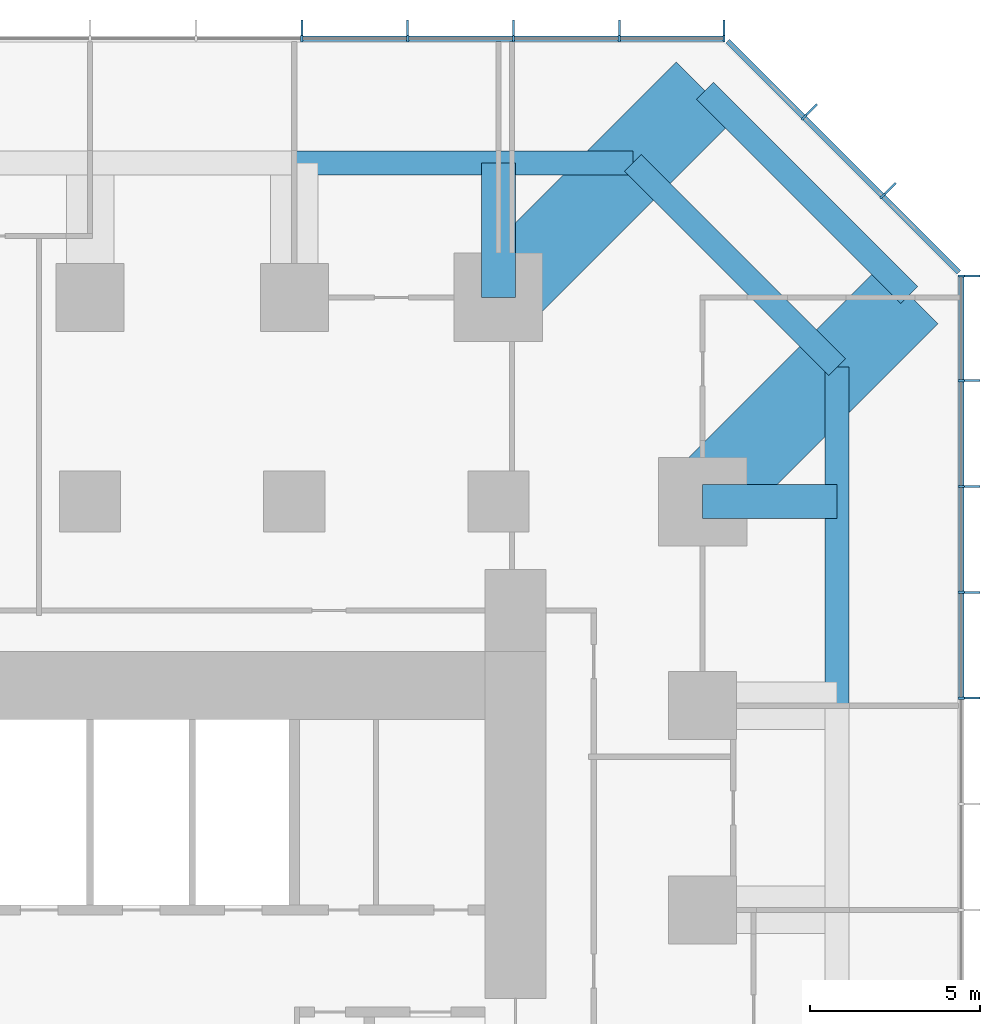
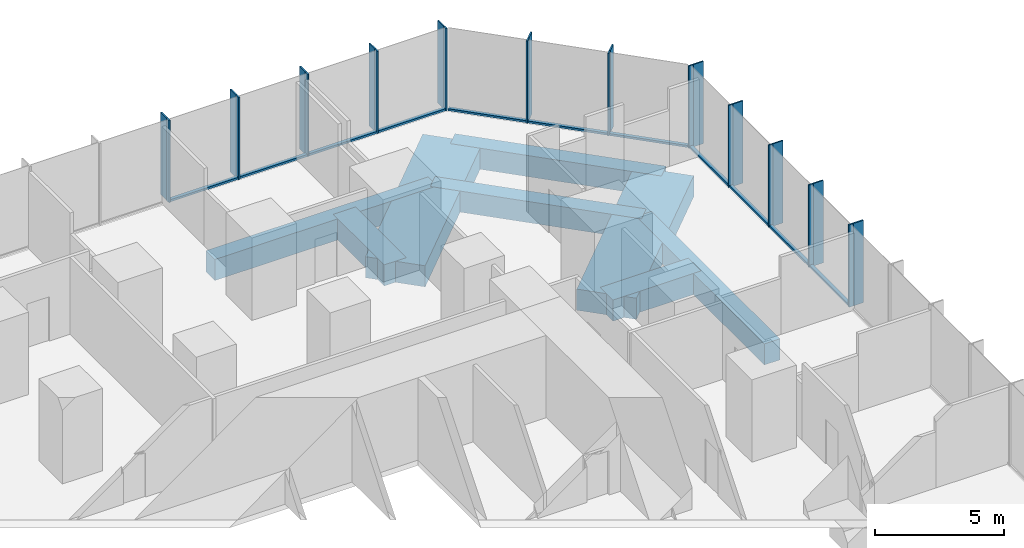
# One storey, part 6 of 12: 35 members, 8 beams, 3 elements without a shape of their own.
"""IFC4 building model written with IfcOpenShell, lengths in metres."""

from ifc_helpers import new_model, si_unit, direction, frame, origin, origin_2d, place, context, subcontext, project, spatial, rectangle, extrude, material, layer, layer_set, material_profile, profile_set, type_object, element, aggregate, save


model = new_model("IFC4")

# Units and contexts
model_context = context("Model", 3, precision=1e-05, world=origin(), true_north=direction((0.0, 1.0)))
body_context = subcontext(model_context, "Body", "Model", "MODEL_VIEW")
ifc_project = project(units=[si_unit("LENGTHUNIT", "METRE"), si_unit("AREAUNIT", "SQUARE_METRE"), si_unit("VOLUMEUNIT", "CUBIC_METRE"), si_unit("PLANEANGLEUNIT", "RADIAN"), si_unit("MASSUNIT", "GRAM", prefix="KILO")], contexts=[model_context])

# Site, building, storey
site_placement = place(None, origin())
site = spatial("IfcSite", under=ifc_project, at=site_placement, CompositionType="ELEMENT")
building_placement = place(site_placement, origin())
building = spatial("IfcBuilding", under=site, at=building_placement, Name="Highveld Stack Headquarters", CompositionType="ELEMENT")
storey_placement = place(building_placement, frame((0.0, 0.0, 68.89990234375)))
storey = spatial("IfcBuildingStorey", under=building, at=storey_placement, Name="L16", CompositionType="ELEMENT", Elevation=68.89990234375)

# Beams
ifc_material_1 = material(Name="Concrete C60/75", Category="concrete")
ifc_material_profile_1 = material_profile(ifc_material_1, rectangle(XDim=1.0, YDim=1.0, at=origin_2d()), Name="RC 1000x1000")
ifc_profile_set_1 = profile_set([ifc_material_profile_1], Name="Concrete C60/75")
beam_type_1 = type_object("IfcBeamType", Name="CANTILEVER RIB RC 1000x1000", PredefinedType="USERDEFINED", material=ifc_profile_set_1)
for number, where, z_axis, x_axis, name in (
    (1, (18.0, 24.0, -0.75), (0.0, 1.0, 0.0), (-1.0, 0.0, 0.0), "Cantilever rib 9/J L16"),
    (2, (24.0, 18.0, -0.75), (1.0, 0.0, 0.0), (0.0, 1.0, 0.0), "Cantilever rib 10/H L16"),
):
    element("IfcBeam", number, at=place(storey_placement, frame(where, z_axis=z_axis, x_axis=x_axis)), inside=storey, type_object=beam_type_1, Name=name, ObjectType="CANTILEVER RIB", PredefinedType="USERDEFINED", context=body_context, shape_type="SweptSolid", body=[
        extrude(rectangle(XDim=1.0, YDim=1.0, at=origin_2d()), origin(), (0.0, 0.0, 1.0), 3.949951171875),
    ])
ifc_material_2 = material(Name="Concrete C60/75", Category="concrete")
ifc_material_profile_2 = material_profile(ifc_material_2, rectangle(XDim=2.39990234375, YDim=1.0, at=origin_2d()), Name="RC 2400x1000")
ifc_profile_set_2 = profile_set([ifc_material_profile_2], Name="Concrete C60/75")
beam_type_2 = type_object("IfcBeamType", Name="CANTILEVER RIB RC 2400x1000", PredefinedType="USERDEFINED", material=ifc_profile_set_2)
for number, where, z_axis, x_axis, name in (
    (3, (18.0, 24.0, -0.75), (0.707106781187, 0.707106781187, 0.0), (-0.707106781187, 0.707106781187, 0.0), "Cantilever rib 9/J L16"),
    (4, (24.0, 18.0, -0.75), (0.707106781187, 0.707106781187, 0.0), (-0.707106781187, 0.707106781187, 0.0), "Cantilever rib 10/H L16"),
):
    element("IfcBeam", number, at=place(storey_placement, frame(where, z_axis=z_axis, x_axis=x_axis)), inside=storey, type_object=beam_type_2, Name=name, ObjectType="CANTILEVER RIB", PredefinedType="USERDEFINED", context=body_context, shape_type="SweptSolid", body=[
        extrude(rectangle(XDim=2.39990234375, YDim=1.0, at=origin_2d()), origin(), (0.0, 0.0, 1.0), 8.585693359375),
    ])

# Curtain wall, members
ifc_material_3 = material(Name="Aluminium bronze anodised", Category="aluminium")
ifc_layer_1 = layer(ifc_material_3, 0.199951171875)
ifc_layer_set_1 = layer_set([ifc_layer_1], Name="Aluminium bronze anodised")
curtain_wall_type_1 = type_object("IfcCurtainWallType", Name="CW1 TOWER UNITISED CURTAIN WALL", PredefinedType="NOTDEFINED", material=ifc_layer_set_1)
curtain_wall_1_placement = place(storey_placement, origin())
curtain_wall_1 = element("IfcCurtainWall", 5, at=curtain_wall_1_placement, inside=storey, type_object=curtain_wall_type_1, Name="Curtain wall CW1 L16 E", PredefinedType="NOTDEFINED")
ifc_material_4 = material(Name="Aluminium bronze anodised", Category="aluminium")
ifc_material_profile_3 = material_profile(ifc_material_4, rectangle(XDim=0.449951171875, YDim=0.06005859375, at=origin_2d()), Name="FIN 450x60")
ifc_profile_set_3 = profile_set([ifc_material_profile_3], Name="Aluminium bronze anodised")
member_type_1 = type_object("IfcMemberType", Name="CW1 BRONZE FIN 450x60", PredefinedType="USERDEFINED", material=ifc_profile_set_3)
member_1_placement = place(storey_placement, frame((31.925048828125, 12.220947265625, 0.0), z_axis=(0.0, 0.0, 1.0), x_axis=(-1.0, 0.0, 0.0)))
member_1 = element("IfcMember", 6, at=member_1_placement, type_object=member_type_1, Name="CW1 fin L16 9", ObjectType="FIN", PredefinedType="USERDEFINED", context=body_context, shape_type="SweptSolid", body=[
    extrude(rectangle(XDim=0.449951171875, YDim=0.06005859375, at=origin_2d()), origin(), (0.0, 0.0, 1.0), 3.900146484375),
])
member_2_placement = place(storey_placement, frame((31.925048828125, 15.331298828125, 0.0), z_axis=(0.0, 0.0, 1.0), x_axis=(-1.0, 0.0, 0.0)))
member_2 = element("IfcMember", 7, at=member_2_placement, type_object=member_type_1, Name="CW1 fin L16 10", ObjectType="FIN", PredefinedType="USERDEFINED", context=body_context, shape_type="SweptSolid", body=[
    extrude(rectangle(XDim=0.449951171875, YDim=0.06005859375, at=origin_2d()), origin(), (0.0, 0.0, 1.0), 3.900146484375),
])
member_3_placement = place(storey_placement, frame((31.925048828125, 18.44189453125, 0.0), z_axis=(0.0, 0.0, 1.0), x_axis=(-1.0, 0.0, 0.0)))
member_3 = element("IfcMember", 8, at=member_3_placement, type_object=member_type_1, Name="CW1 fin L16 11", ObjectType="FIN", PredefinedType="USERDEFINED", context=body_context, shape_type="SweptSolid", body=[
    extrude(rectangle(XDim=0.449951171875, YDim=0.06005859375, at=origin_2d()), origin(), (0.0, 0.0, 1.0), 3.900146484375),
])
member_4_placement = place(storey_placement, frame((31.925048828125, 21.55224609375, 0.0), z_axis=(0.0, 0.0, 1.0), x_axis=(-1.0, 0.0, 0.0)))
member_4 = element("IfcMember", 9, at=member_4_placement, type_object=member_type_1, Name="CW1 fin L16 12", ObjectType="FIN", PredefinedType="USERDEFINED", context=body_context, shape_type="SweptSolid", body=[
    extrude(rectangle(XDim=0.449951171875, YDim=0.06005859375, at=origin_2d()), origin(), (0.0, 0.0, 1.0), 3.900146484375),
])
member_5_placement = place(storey_placement, frame((31.925048828125, 24.630126953125, 0.0), z_axis=(0.0, 0.0, 1.0), x_axis=(-1.0, 0.0, 0.0)))
member_5 = element("IfcMember", 10, at=member_5_placement, type_object=member_type_1, Name="CW1 fin L16 13", ObjectType="FIN", PredefinedType="USERDEFINED", context=body_context, shape_type="SweptSolid", body=[
    extrude(rectangle(XDim=0.449951171875, YDim=0.06005859375, at=origin_2d()), origin(), (0.0, 0.0, 1.0), 3.900146484375),
])

curtain_wall_2_placement = place(storey_placement, origin())
curtain_wall_2 = element("IfcCurtainWall", 11, at=curtain_wall_2_placement, inside=storey, type_object=curtain_wall_type_1, Name="Curtain wall CW1 L16 N", PredefinedType="NOTDEFINED")
member_6_placement = place(storey_placement, frame((24.630126953125, 31.925048828125, 0.0), z_axis=(0.0, 0.0, 1.0), x_axis=(0.0, -1.0, 0.0)))
member_6 = element("IfcMember", 12, at=member_6_placement, type_object=member_type_1, Name="CW1 fin L16 1", ObjectType="FIN", PredefinedType="USERDEFINED", context=body_context, shape_type="SweptSolid", body=[
    extrude(rectangle(XDim=0.449951171875, YDim=0.06005859375, at=origin_2d()), origin(), (0.0, 0.0, 1.0), 3.900146484375),
])
member_7_placement = place(storey_placement, frame((21.55224609375, 31.925048828125, 0.0), z_axis=(0.0, 0.0, 1.0), x_axis=(0.0, -1.0, 0.0)))
member_7 = element("IfcMember", 13, at=member_7_placement, type_object=member_type_1, Name="CW1 fin L16 2", ObjectType="FIN", PredefinedType="USERDEFINED", context=body_context, shape_type="SweptSolid", body=[
    extrude(rectangle(XDim=0.449951171875, YDim=0.06005859375, at=origin_2d()), origin(), (0.0, 0.0, 1.0), 3.900146484375),
])
member_8_placement = place(storey_placement, frame((18.44189453125, 31.925048828125, 0.0), z_axis=(0.0, 0.0, 1.0), x_axis=(0.0, -1.0, 0.0)))
member_8 = element("IfcMember", 14, at=member_8_placement, type_object=member_type_1, Name="CW1 fin L16 3", ObjectType="FIN", PredefinedType="USERDEFINED", context=body_context, shape_type="SweptSolid", body=[
    extrude(rectangle(XDim=0.449951171875, YDim=0.06005859375, at=origin_2d()), origin(), (0.0, 0.0, 1.0), 3.900146484375),
])
member_9_placement = place(storey_placement, frame((15.331298828125, 31.925048828125, 0.0), z_axis=(0.0, 0.0, 1.0), x_axis=(0.0, -1.0, 0.0)))
member_9 = element("IfcMember", 15, at=member_9_placement, type_object=member_type_1, Name="CW1 fin L16 4", ObjectType="FIN", PredefinedType="USERDEFINED", context=body_context, shape_type="SweptSolid", body=[
    extrude(rectangle(XDim=0.449951171875, YDim=0.06005859375, at=origin_2d()), origin(), (0.0, 0.0, 1.0), 3.900146484375),
])
member_10_placement = place(storey_placement, frame((12.220947265625, 31.925048828125, 0.0), z_axis=(0.0, 0.0, 1.0), x_axis=(0.0, -1.0, 0.0)))
member_10 = element("IfcMember", 16, at=member_10_placement, type_object=member_type_1, Name="CW1 fin L16 5", ObjectType="FIN", PredefinedType="USERDEFINED", context=body_context, shape_type="SweptSolid", body=[
    extrude(rectangle(XDim=0.449951171875, YDim=0.06005859375, at=origin_2d()), origin(), (0.0, 0.0, 1.0), 3.900146484375),
])

# Member
ifc_material_5 = material(Name="Aluminium bronze anodised", Category="aluminium")
ifc_material_profile_4 = material_profile(ifc_material_5, rectangle(XDim=0.199951171875, YDim=0.06494140625, at=origin_2d()), Name="CW1 MULLION 65x200")
ifc_profile_set_4 = profile_set([ifc_material_profile_4], Name="Aluminium bronze anodised")
member_type_2 = type_object("IfcMemberType", Name="CW1 MULLION 65x200", PredefinedType="MULLION", material=ifc_profile_set_4)
member_11_placement = place(storey_placement, frame((31.60009765625, 12.220947265625, 0.0), z_axis=(0.0, 0.0, 1.0), x_axis=(-1.0, 0.0, 0.0)))
member_11 = element("IfcMember", 17, at=member_11_placement, type_object=member_type_2, Name="CW1 mullion L16 9", PredefinedType="MULLION", context=body_context, shape_type="SweptSolid", body=[
    extrude(rectangle(XDim=0.199951171875, YDim=0.06494140625, at=origin_2d()), origin(), (0.0, 0.0, 1.0), 3.900146484375),
])

member_12_placement = place(storey_placement, frame((31.60009765625, 15.331298828125, 0.0), z_axis=(0.0, 0.0, 1.0), x_axis=(-1.0, 0.0, 0.0)))
member_12 = element("IfcMember", 18, at=member_12_placement, type_object=member_type_2, Name="CW1 mullion L16 10", PredefinedType="MULLION", context=body_context, shape_type="SweptSolid", body=[
    extrude(rectangle(XDim=0.199951171875, YDim=0.06494140625, at=origin_2d()), origin(), (0.0, 0.0, 1.0), 3.900146484375),
])

member_13_placement = place(storey_placement, frame((31.60009765625, 18.44189453125, 0.0), z_axis=(0.0, 0.0, 1.0), x_axis=(-1.0, 0.0, 0.0)))
member_13 = element("IfcMember", 19, at=member_13_placement, type_object=member_type_2, Name="CW1 mullion L16 11", PredefinedType="MULLION", context=body_context, shape_type="SweptSolid", body=[
    extrude(rectangle(XDim=0.199951171875, YDim=0.06494140625, at=origin_2d()), origin(), (0.0, 0.0, 1.0), 3.900146484375),
])

member_14_placement = place(storey_placement, frame((31.60009765625, 21.55224609375, 0.0), z_axis=(0.0, 0.0, 1.0), x_axis=(-1.0, 0.0, 0.0)))
member_14 = element("IfcMember", 20, at=member_14_placement, type_object=member_type_2, Name="CW1 mullion L16 12", PredefinedType="MULLION", context=body_context, shape_type="SweptSolid", body=[
    extrude(rectangle(XDim=0.199951171875, YDim=0.06494140625, at=origin_2d()), origin(), (0.0, 0.0, 1.0), 3.900146484375),
])

member_15_placement = place(storey_placement, frame((31.60009765625, 24.630126953125, 0.0), z_axis=(0.0, 0.0, 1.0), x_axis=(-1.0, 0.0, 0.0)))
member_15 = element("IfcMember", 21, at=member_15_placement, type_object=member_type_2, Name="CW1 mullion L16 13", PredefinedType="MULLION", context=body_context, shape_type="SweptSolid", body=[
    extrude(rectangle(XDim=0.199951171875, YDim=0.06494140625, at=origin_2d()), origin(), (0.0, 0.0, 1.0), 3.900146484375),
])

member_16_placement = place(storey_placement, frame((24.630126953125, 31.60009765625, 0.0), z_axis=(0.0, 0.0, 1.0), x_axis=(0.0, -1.0, 0.0)))
member_16 = element("IfcMember", 22, at=member_16_placement, type_object=member_type_2, Name="CW1 mullion L16 1", PredefinedType="MULLION", context=body_context, shape_type="SweptSolid", body=[
    extrude(rectangle(XDim=0.199951171875, YDim=0.06494140625, at=origin_2d()), origin(), (0.0, 0.0, 1.0), 3.900146484375),
])

member_17_placement = place(storey_placement, frame((21.55224609375, 31.60009765625, 0.0), z_axis=(0.0, 0.0, 1.0), x_axis=(0.0, -1.0, 0.0)))
member_17 = element("IfcMember", 23, at=member_17_placement, type_object=member_type_2, Name="CW1 mullion L16 2", PredefinedType="MULLION", context=body_context, shape_type="SweptSolid", body=[
    extrude(rectangle(XDim=0.199951171875, YDim=0.06494140625, at=origin_2d()), origin(), (0.0, 0.0, 1.0), 3.900146484375),
])

member_18_placement = place(storey_placement, frame((18.44189453125, 31.60009765625, 0.0), z_axis=(0.0, 0.0, 1.0), x_axis=(0.0, -1.0, 0.0)))
member_18 = element("IfcMember", 24, at=member_18_placement, type_object=member_type_2, Name="CW1 mullion L16 3", PredefinedType="MULLION", context=body_context, shape_type="SweptSolid", body=[
    extrude(rectangle(XDim=0.199951171875, YDim=0.06494140625, at=origin_2d()), origin(), (0.0, 0.0, 1.0), 3.900146484375),
])

member_19_placement = place(storey_placement, frame((15.331298828125, 31.60009765625, 0.0), z_axis=(0.0, 0.0, 1.0), x_axis=(0.0, -1.0, 0.0)))
member_19 = element("IfcMember", 25, at=member_19_placement, type_object=member_type_2, Name="CW1 mullion L16 4", PredefinedType="MULLION", context=body_context, shape_type="SweptSolid", body=[
    extrude(rectangle(XDim=0.199951171875, YDim=0.06494140625, at=origin_2d()), origin(), (0.0, 0.0, 1.0), 3.900146484375),
])

member_20_placement = place(storey_placement, frame((12.220947265625, 31.60009765625, 0.0), z_axis=(0.0, 0.0, 1.0), x_axis=(0.0, -1.0, 0.0)))
member_20 = element("IfcMember", 26, at=member_20_placement, type_object=member_type_2, Name="CW1 mullion L16 5", PredefinedType="MULLION", context=body_context, shape_type="SweptSolid", body=[
    extrude(rectangle(XDim=0.199951171875, YDim=0.06494140625, at=origin_2d()), origin(), (0.0, 0.0, 1.0), 3.900146484375),
])

ifc_material_6 = material(Name="Aluminium bronze anodised", Category="aluminium")
ifc_material_profile_5 = material_profile(ifc_material_6, rectangle(XDim=0.14990234375, YDim=0.10009765625, at=origin_2d()), Name="CW1 TRANSOM 150x100")
ifc_profile_set_5 = profile_set([ifc_material_profile_5], Name="Aluminium bronze anodised")
member_type_3 = type_object("IfcMemberType", Name="CW1 STACK TRANSOM 150x100", PredefinedType="USERDEFINED", material=ifc_profile_set_5)
member_21_placement = place(storey_placement, frame((31.60009765625, 12.25341796875, 0.050048828125), z_axis=(0.0, 1.0, 0.0), x_axis=(-1.0, 0.0, 0.0)))
member_21 = element("IfcMember", 27, at=member_21_placement, type_object=member_type_3, Name="CW1 transom L16 9.1", ObjectType="TRANSOM", PredefinedType="USERDEFINED", context=body_context, shape_type="SweptSolid", body=[
    extrude(rectangle(XDim=0.14990234375, YDim=0.10009765625, at=origin_2d()), origin(), (0.0, 0.0, 1.0), 3.04541015625),
])

member_22_placement = place(storey_placement, frame((31.60009765625, 15.364013671875, 0.050048828125), z_axis=(0.0, 1.0, 0.0), x_axis=(-1.0, 0.0, 0.0)))
member_22 = element("IfcMember", 28, at=member_22_placement, type_object=member_type_3, Name="CW1 transom L16 10.1", ObjectType="TRANSOM", PredefinedType="USERDEFINED", context=body_context, shape_type="SweptSolid", body=[
    extrude(rectangle(XDim=0.14990234375, YDim=0.10009765625, at=origin_2d()), origin(), (0.0, 0.0, 1.0), 3.045166015625),
])

member_23_placement = place(storey_placement, frame((31.60009765625, 18.474365234375, 0.050048828125), z_axis=(0.0, 1.0, 0.0), x_axis=(-1.0, 0.0, 0.0)))
member_23 = element("IfcMember", 29, at=member_23_placement, type_object=member_type_3, Name="CW1 transom L16 11.1", ObjectType="TRANSOM", PredefinedType="USERDEFINED", context=body_context, shape_type="SweptSolid", body=[
    extrude(rectangle(XDim=0.14990234375, YDim=0.10009765625, at=origin_2d()), origin(), (0.0, 0.0, 1.0), 3.04541015625),
])

member_24_placement = place(storey_placement, frame((31.60009765625, 21.584716796875, 0.050048828125), z_axis=(0.0, 1.0, 0.0), x_axis=(-1.0, 0.0, 0.0)))
member_24 = element("IfcMember", 30, at=member_24_placement, type_object=member_type_3, Name="CW1 transom L16 12.1", ObjectType="TRANSOM", PredefinedType="USERDEFINED", context=body_context, shape_type="SweptSolid", body=[
    extrude(rectangle(XDim=0.14990234375, YDim=0.10009765625, at=origin_2d()), origin(), (0.0, 0.0, 1.0), 3.012939453125),
])

aggregate(curtain_wall_1, [member_11, member_1, member_12, member_2, member_13, member_3, member_14, member_4, member_15, member_5, member_21, member_22, member_23, member_24])

member_25_placement = place(storey_placement, frame((24.59765625, 31.60009765625, 0.050048828125), z_axis=(-1.0, 0.0, 0.0), x_axis=(0.0, -1.0, 0.0)))
member_25 = element("IfcMember", 31, at=member_25_placement, type_object=member_type_3, Name="CW1 transom L16 1.1", ObjectType="TRANSOM", PredefinedType="USERDEFINED", context=body_context, shape_type="SweptSolid", body=[
    extrude(rectangle(XDim=0.14990234375, YDim=0.10009765625, at=origin_2d()), origin(), (0.0, 0.0, 1.0), 3.012939453125),
])

member_26_placement = place(storey_placement, frame((21.519775390625, 31.60009765625, 0.050048828125), z_axis=(-1.0, 0.0, 0.0), x_axis=(0.0, -1.0, 0.0)))
member_26 = element("IfcMember", 32, at=member_26_placement, type_object=member_type_3, Name="CW1 transom L16 2.1", ObjectType="TRANSOM", PredefinedType="USERDEFINED", context=body_context, shape_type="SweptSolid", body=[
    extrude(rectangle(XDim=0.14990234375, YDim=0.10009765625, at=origin_2d()), origin(), (0.0, 0.0, 1.0), 3.04541015625),
])

member_27_placement = place(storey_placement, frame((18.4091796875, 31.60009765625, 0.050048828125), z_axis=(-1.0, 0.0, 0.0), x_axis=(0.0, -1.0, 0.0)))
member_27 = element("IfcMember", 33, at=member_27_placement, type_object=member_type_3, Name="CW1 transom L16 3.1", ObjectType="TRANSOM", PredefinedType="USERDEFINED", context=body_context, shape_type="SweptSolid", body=[
    extrude(rectangle(XDim=0.14990234375, YDim=0.10009765625, at=origin_2d()), origin(), (0.0, 0.0, 1.0), 3.045166015625),
])

member_28_placement = place(storey_placement, frame((15.298828125, 31.60009765625, 0.050048828125), z_axis=(-1.0, 0.0, 0.0), x_axis=(0.0, -1.0, 0.0)))
member_28 = element("IfcMember", 34, at=member_28_placement, type_object=member_type_3, Name="CW1 transom L16 4.1", ObjectType="TRANSOM", PredefinedType="USERDEFINED", context=body_context, shape_type="SweptSolid", body=[
    extrude(rectangle(XDim=0.14990234375, YDim=0.10009765625, at=origin_2d()), origin(), (0.0, 0.0, 1.0), 3.04541015625),
])

aggregate(curtain_wall_2, [member_16, member_6, member_17, member_7, member_18, member_8, member_19, member_9, member_20, member_10, member_25, member_26, member_27, member_28])

# Curtain wall, members
ifc_material_7 = material(Name="Aluminium bronze anodised", Category="aluminium")
ifc_layer_2 = layer(ifc_material_7, 0.199951171875)
ifc_layer_set_2 = layer_set([ifc_layer_2], Name="Aluminium bronze anodised")
curtain_wall_type_2 = type_object("IfcCurtainWallType", Name="CW2 TOWER CHAMFER UNITISED CURTAIN WALL", PredefinedType="NOTDEFINED", material=ifc_layer_set_2)
curtain_wall_3_placement = place(storey_placement, origin())
curtain_wall_3 = element("IfcCurtainWall", 35, at=curtain_wall_3_placement, inside=storey, type_object=curtain_wall_type_2, Name="Curtain wall CW2 L16 NE", PredefinedType="NOTDEFINED")
ifc_material_8 = material(Name="Aluminium bronze anodised", Category="aluminium")
ifc_material_profile_6 = material_profile(ifc_material_8, rectangle(XDim=0.449951171875, YDim=0.06005859375, at=origin_2d()), Name="FIN 450x60")
ifc_profile_set_6 = profile_set([ifc_material_profile_6], Name="Aluminium bronze anodised")
member_type_4 = type_object("IfcMemberType", Name="CW2 BRONZE FIN 450x60", PredefinedType="USERDEFINED", material=ifc_profile_set_6)
member_29_placement = place(storey_placement, frame((29.517333984375, 27.204833984375, 0.0), z_axis=(0.0, 0.0, 1.0), x_axis=(-0.707106781187, -0.707106781187, 0.0)))
member_29 = element("IfcMember", 36, at=member_29_placement, type_object=member_type_4, Name="CW2 fin L16 1", ObjectType="FIN", PredefinedType="USERDEFINED", context=body_context, shape_type="SweptSolid", body=[
    extrude(rectangle(XDim=0.449951171875, YDim=0.06005859375, at=origin_2d()), origin(), (0.0, 0.0, 1.0), 3.900146484375),
])
member_30_placement = place(storey_placement, frame((27.204833984375, 29.517333984375, 0.0), z_axis=(0.0, 0.0, 1.0), x_axis=(-0.707106781187, -0.707106781187, 0.0)))
member_30 = element("IfcMember", 37, at=member_30_placement, type_object=member_type_4, Name="CW2 fin L16 2", ObjectType="FIN", PredefinedType="USERDEFINED", context=body_context, shape_type="SweptSolid", body=[
    extrude(rectangle(XDim=0.449951171875, YDim=0.06005859375, at=origin_2d()), origin(), (0.0, 0.0, 1.0), 3.900146484375),
])
ifc_material_9 = material(Name="Aluminium bronze anodised", Category="aluminium")
ifc_material_profile_7 = material_profile(ifc_material_9, rectangle(XDim=0.199951171875, YDim=0.06494140625, at=origin_2d()), Name="CW2 MULLION 65x200")
ifc_profile_set_7 = profile_set([ifc_material_profile_7], Name="Aluminium bronze anodised")
member_type_5 = type_object("IfcMemberType", Name="CW2 MULLION 65x200", PredefinedType="MULLION", material=ifc_profile_set_7)
member_31_placement = place(storey_placement, frame((29.28759765625, 26.97509765625, 0.0), z_axis=(0.0, 0.0, 1.0), x_axis=(-0.707106781187, -0.707106781187, 0.0)))
member_31 = element("IfcMember", 38, at=member_31_placement, type_object=member_type_5, Name="CW2 mullion L16 1", PredefinedType="MULLION", context=body_context, shape_type="SweptSolid", body=[
    extrude(rectangle(XDim=0.199951171875, YDim=0.06494140625, at=origin_2d()), origin(), (0.0, 0.0, 1.0), 3.900146484375),
])
member_32_placement = place(storey_placement, frame((26.97509765625, 29.28759765625, 0.0), z_axis=(0.0, 0.0, 1.0), x_axis=(-0.707106781187, -0.707106781187, 0.0)))
member_32 = element("IfcMember", 39, at=member_32_placement, type_object=member_type_5, Name="CW2 mullion L16 2", PredefinedType="MULLION", context=body_context, shape_type="SweptSolid", body=[
    extrude(rectangle(XDim=0.199951171875, YDim=0.06494140625, at=origin_2d()), origin(), (0.0, 0.0, 1.0), 3.900146484375),
])
ifc_material_10 = material(Name="Aluminium bronze anodised", Category="aluminium")
ifc_material_profile_8 = material_profile(ifc_material_10, rectangle(XDim=0.14990234375, YDim=0.10009765625, at=origin_2d()), Name="CW2 TRANSOM 150x100")
ifc_profile_set_8 = profile_set([ifc_material_profile_8], Name="Aluminium bronze anodised")
member_type_6 = type_object("IfcMemberType", Name="CW2 STACK TRANSOM 150x100", PredefinedType="USERDEFINED", material=ifc_profile_set_8)
member_33_placement = place(storey_placement, frame((31.529296875, 24.7333984375, 0.050048828125), z_axis=(-0.707106781187, 0.707106781187, 0.0), x_axis=(-0.707106781187, -0.707106781187, 0.0)))
member_33 = element("IfcMember", 40, at=member_33_placement, type_object=member_type_6, Name="CW2 transom L16 1.1", ObjectType="TRANSOM", PredefinedType="USERDEFINED", context=body_context, shape_type="SweptSolid", body=[
    extrude(rectangle(XDim=0.14990234375, YDim=0.10009765625, at=origin_2d()), origin(), (0.0, 0.0, 1.0), 3.1376953125),
])
member_34_placement = place(storey_placement, frame((29.2646484375, 26.998046875, 0.050048828125), z_axis=(-0.707106781187, 0.707106781187, 0.0), x_axis=(-0.707106781187, -0.707106781187, 0.0)))
member_34 = element("IfcMember", 41, at=member_34_placement, type_object=member_type_6, Name="CW2 transom L16 2.1", ObjectType="TRANSOM", PredefinedType="USERDEFINED", context=body_context, shape_type="SweptSolid", body=[
    extrude(rectangle(XDim=0.14990234375, YDim=0.10009765625, at=origin_2d()), origin(), (0.0, 0.0, 1.0), 3.20556640625),
])
member_35_placement = place(storey_placement, frame((26.9521484375, 29.310546875, 0.050048828125), z_axis=(-0.707106781187, 0.707106781187, 0.0), x_axis=(-0.707106781187, -0.707106781187, 0.0)))
member_35 = element("IfcMember", 42, at=member_35_placement, type_object=member_type_6, Name="CW2 transom L16 3.1", ObjectType="TRANSOM", PredefinedType="USERDEFINED", context=body_context, shape_type="SweptSolid", body=[
    extrude(rectangle(XDim=0.14990234375, YDim=0.10009765625, at=origin_2d()), origin(), (0.0, 0.0, 1.0), 3.1376953125),
])
aggregate(curtain_wall_3, [member_31, member_29, member_32, member_30, member_33, member_34, member_35])

# Beams
ifc_material_11 = material(Name="Concrete C60/75", Category="concrete")
ifc_material_profile_9 = material_profile(ifc_material_11, rectangle(XDim=0.699951171875, YDim=1.0, at=origin_2d()), Name="RC 700x1000")
ifc_profile_set_9 = profile_set([ifc_material_profile_9], Name="Concrete C60/75")
beam_type_3 = type_object("IfcBeamType", Name="RIB TIP BEAM RC 700x1000", PredefinedType="SPANDREL", material=ifc_profile_set_9)
for number, where, z_axis, x_axis, name in (
    (43, (27.949951171875, 12.0, -0.75), (0.0, 1.0, 0.0), (-1.0, 0.0, 0.0), "Rib tip beam 10/G to 10/H L16"),
    (44, (12.0, 27.949951171875, -0.75), (1.0, 0.0, 0.0), (0.0, 1.0, 0.0), "Rib tip beam 8/J to 9/J L16"),
):
    element("IfcBeam", number, at=place(storey_placement, frame(where, z_axis=z_axis, x_axis=x_axis)), inside=storey, type_object=beam_type_3, Name=name, PredefinedType="SPANDREL", context=body_context, shape_type="SweptSolid", body=[
        extrude(rectangle(XDim=0.699951171875, YDim=1.0, at=origin_2d()), origin(), (0.0, 0.0, 1.0), 9.949951171875),
    ])
for number, where, z_axis, x_axis, name in (
    (45, (21.949951171875, 27.949951171875, -0.75), (0.707106781187, -0.707106781187, 0.0), (0.707106781187, 0.707106781187, 0.0), "Rib tip beam 9/J to 10/H chamfer L16"),
    (46, (24.071044921875, 30.071044921875, -0.75), (0.707106781187, -0.707106781187, 0.0), (0.707106781187, 0.707106781187, 0.0), "Rib tip beam 9/J to 10/H chamfer edge L16"),
):
    element("IfcBeam", number, at=place(storey_placement, frame(where, z_axis=z_axis, x_axis=x_axis)), inside=storey, type_object=beam_type_3, Name=name, PredefinedType="SPANDREL", context=body_context, shape_type="SweptSolid", body=[
        extrude(rectangle(XDim=0.699951171875, YDim=1.0, at=origin_2d()), origin(), (0.0, 0.0, 1.0), 8.4853515625),
    ])

save(model, "model.ifc")
